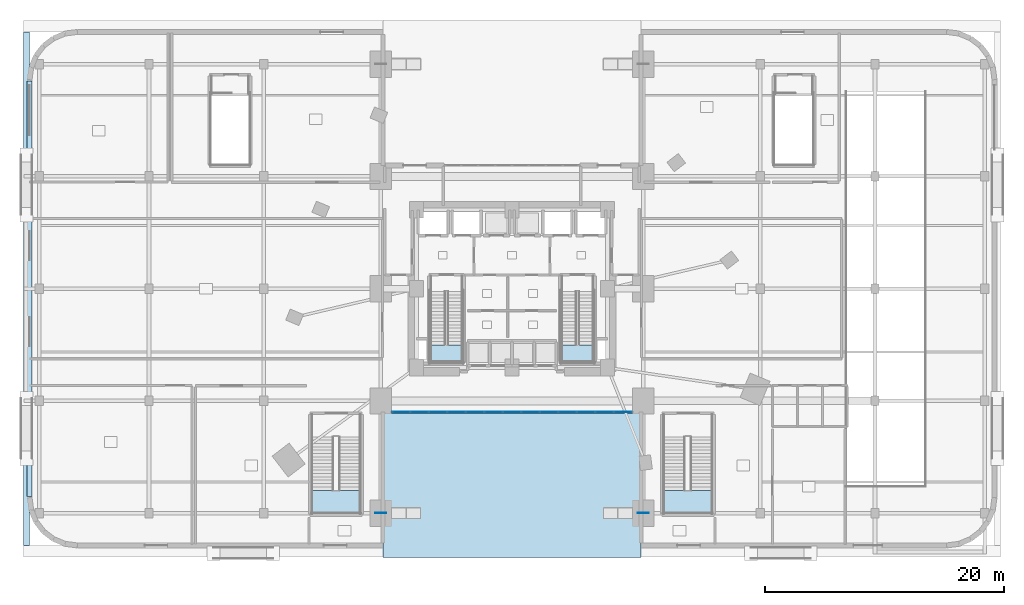
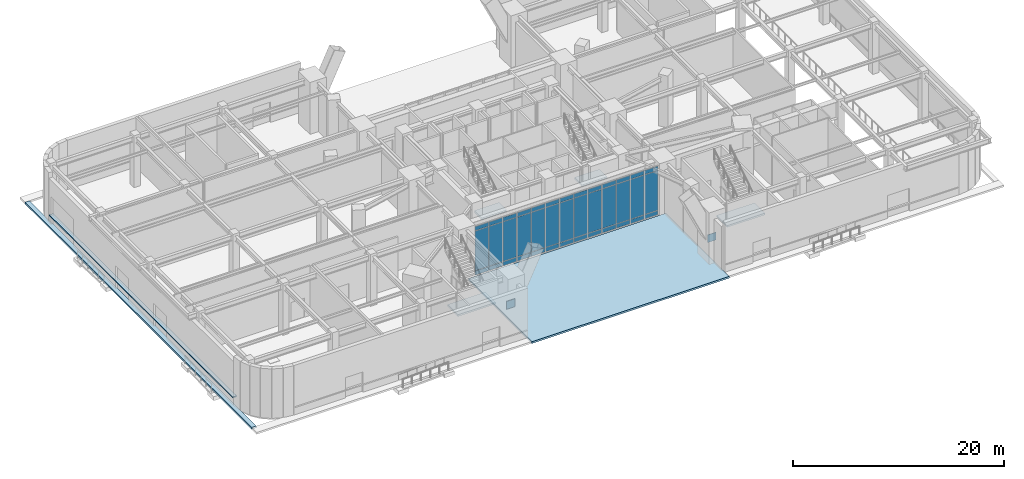
# One storey, part 14 of 27: 42 plates, 6 slabs, 5 elements without a shape of their own.
"""IFC4 building model written with IfcOpenShell, lengths in metres."""

from ifc_helpers import new_model, si_unit, direction, frame, origin, origin_2d, place, context, subcontext, project, spatial, polyline, rectangle, outline, extrude, material, layer, layer_set, type_object, element, aggregate, save


model = new_model("IFC4")

# Units and contexts
model_context = context("Model", 3, precision=1e-05, world=origin(), true_north=direction((0.0, 1.0)))
body_context = subcontext(model_context, "Body", "Model", "MODEL_VIEW")
ifc_project = project(units=[si_unit("LENGTHUNIT", "METRE"), si_unit("AREAUNIT", "SQUARE_METRE"), si_unit("VOLUMEUNIT", "CUBIC_METRE"), si_unit("PLANEANGLEUNIT", "RADIAN"), si_unit("MASSUNIT", "GRAM", prefix="KILO")], contexts=[model_context])

# Site, building, storey
site_placement = place(None, origin())
site = spatial("IfcSite", under=ifc_project, at=site_placement, CompositionType="ELEMENT")
building_placement = place(site_placement, origin())
building = spatial("IfcBuilding", under=site, at=building_placement, Name="Ndelora Gate Hotel", CompositionType="ELEMENT")
storey_placement = place(building_placement, origin())
storey = spatial("IfcBuildingStorey", under=building, at=storey_placement, Name="L00", CompositionType="ELEMENT", Elevation=0.0)

# Curtain wall, plates
ifc_material_1 = material(Name="Bronze Anodised Unitised Aluminium and Low-E Glass", Category="aluminium")
ifc_layer_1 = layer(ifc_material_1, 0.239990234375)
ifc_layer_set_1 = layer_set([ifc_layer_1], Name="Bronze Anodised Unitised Aluminium and Low-E Glass")
curtain_wall_type = type_object("IfcCurtainWallType", Name="CW-SYS-1", PredefinedType="NOTDEFINED", material=ifc_layer_set_1)
curtain_wall_placement = place(storey_placement, origin())
curtain_wall = element("IfcCurtainWall", 1, at=curtain_wall_placement, inside=storey, type_object=curtain_wall_type, Name="L00 South Portal Arch Concourse Curtain Wall CW1", PredefinedType="NOTDEFINED")
ifc_material_2 = material(Name="Solar-Control Low-E Insulated Glazing", Category="glass")
ifc_layer_2 = layer(ifc_material_2, 0.048095703125)
ifc_layer_set_2 = layer_set([ifc_layer_2], Name="Solar-Control Low-E Insulated Glazing")
plate_type_1 = type_object("IfcPlateType", Name="PL-CW-GLZ36", PredefinedType="CURTAIN_PANEL", material=ifc_layer_set_2)
plate_1_placement = place(storey_placement, frame((-9.287109375, -10.320068359375, 0.05908203125), z_axis=(0.0, 0.0, 1.0), x_axis=(1.0, 0.0, 0.0)))
plate_1 = element("IfcPlate", 2, at=plate_1_placement, type_object=plate_type_1, Name="CW1 panel 1.1", PredefinedType="CURTAIN_PANEL", context=body_context, shape_type="SweptSolid", body=[
    extrude(rectangle(XDim=1.457763671875, YDim=0.048095703125, at=origin_2d()), origin(), (0.0, 0.0, 1.0), 0.464599609375),
])
plate_2_placement = place(storey_placement, frame((-9.287109375, -10.320068359375, 0.57666015625), z_axis=(0.0, 0.0, 1.0), x_axis=(1.0, 0.0, 0.0)))
plate_2 = element("IfcPlate", 3, at=plate_2_placement, type_object=plate_type_1, Name="CW1 panel 1.2", PredefinedType="CURTAIN_PANEL", context=body_context, shape_type="SweptSolid", body=[
    extrude(rectangle(XDim=1.457763671875, YDim=0.048095703125, at=origin_2d()), origin(), (0.0, 0.0, 1.0), 4.56689453125),
])
plate_3_placement = place(storey_placement, frame((-9.287109375, -10.320068359375, 5.1962890625), z_axis=(0.0, 0.0, 1.0), x_axis=(1.0, 0.0, 0.0)))
plate_3 = element("IfcPlate", 4, at=plate_3_placement, type_object=plate_type_1, Name="CW1 panel 1.3", PredefinedType="CURTAIN_PANEL", context=body_context, shape_type="SweptSolid", body=[
    extrude(rectangle(XDim=1.457763671875, YDim=0.048095703125, at=origin_2d()), origin(), (0.0, 0.0, 1.0), 0.464599609375),
])
plate_4_placement = place(storey_placement, frame((-7.75390625, -10.320068359375, 0.05908203125), z_axis=(0.0, 0.0, 1.0), x_axis=(1.0, 0.0, 0.0)))
plate_4 = element("IfcPlate", 5, at=plate_4_placement, type_object=plate_type_1, Name="CW1 panel 2.1", PredefinedType="CURTAIN_PANEL", context=body_context, shape_type="SweptSolid", body=[
    extrude(rectangle(XDim=1.49267578125, YDim=0.048095703125, at=origin_2d()), origin(), (0.0, 0.0, 1.0), 0.464599609375),
])
plate_5_placement = place(storey_placement, frame((-7.75390625, -10.320068359375, 0.57666015625), z_axis=(0.0, 0.0, 1.0), x_axis=(1.0, 0.0, 0.0)))
plate_5 = element("IfcPlate", 6, at=plate_5_placement, type_object=plate_type_1, Name="CW1 panel 2.2", PredefinedType="CURTAIN_PANEL", context=body_context, shape_type="SweptSolid", body=[
    extrude(rectangle(XDim=1.49267578125, YDim=0.048095703125, at=origin_2d()), origin(), (0.0, 0.0, 1.0), 4.56689453125),
])
plate_6_placement = place(storey_placement, frame((-7.75390625, -10.320068359375, 5.1962890625), z_axis=(0.0, 0.0, 1.0), x_axis=(1.0, 0.0, 0.0)))
plate_6 = element("IfcPlate", 7, at=plate_6_placement, type_object=plate_type_1, Name="CW1 panel 2.3", PredefinedType="CURTAIN_PANEL", context=body_context, shape_type="SweptSolid", body=[
    extrude(rectangle(XDim=1.49267578125, YDim=0.048095703125, at=origin_2d()), origin(), (0.0, 0.0, 1.0), 0.464599609375),
])
plate_7_placement = place(storey_placement, frame((-6.203125, -10.320068359375, 0.05908203125), z_axis=(0.0, 0.0, 1.0), x_axis=(1.0, 0.0, 0.0)))
plate_7 = element("IfcPlate", 8, at=plate_7_placement, type_object=plate_type_1, Name="CW1 panel 3.1", PredefinedType="CURTAIN_PANEL", context=body_context, shape_type="SweptSolid", body=[
    extrude(rectangle(XDim=1.49267578125, YDim=0.048095703125, at=origin_2d()), origin(), (0.0, 0.0, 1.0), 0.464599609375),
])
plate_8_placement = place(storey_placement, frame((-6.203125, -10.320068359375, 0.57666015625), z_axis=(0.0, 0.0, 1.0), x_axis=(1.0, 0.0, 0.0)))
plate_8 = element("IfcPlate", 9, at=plate_8_placement, type_object=plate_type_1, Name="CW1 panel 3.2", PredefinedType="CURTAIN_PANEL", context=body_context, shape_type="SweptSolid", body=[
    extrude(rectangle(XDim=1.49267578125, YDim=0.048095703125, at=origin_2d()), origin(), (0.0, 0.0, 1.0), 4.56689453125),
])
plate_9_placement = place(storey_placement, frame((-6.203125, -10.320068359375, 5.1962890625), z_axis=(0.0, 0.0, 1.0), x_axis=(1.0, 0.0, 0.0)))
plate_9 = element("IfcPlate", 10, at=plate_9_placement, type_object=plate_type_1, Name="CW1 panel 3.3", PredefinedType="CURTAIN_PANEL", context=body_context, shape_type="SweptSolid", body=[
    extrude(rectangle(XDim=1.49267578125, YDim=0.048095703125, at=origin_2d()), origin(), (0.0, 0.0, 1.0), 0.464599609375),
])
plate_10_placement = place(storey_placement, frame((-4.65234375, -10.320068359375, 0.05908203125), z_axis=(0.0, 0.0, 1.0), x_axis=(1.0, 0.0, 0.0)))
plate_10 = element("IfcPlate", 11, at=plate_10_placement, type_object=plate_type_1, Name="CW1 panel 4.1", PredefinedType="CURTAIN_PANEL", context=body_context, shape_type="SweptSolid", body=[
    extrude(rectangle(XDim=1.49267578125, YDim=0.048095703125, at=origin_2d()), origin(), (0.0, 0.0, 1.0), 0.464599609375),
])
plate_11_placement = place(storey_placement, frame((-4.65234375, -10.320068359375, 0.57666015625), z_axis=(0.0, 0.0, 1.0), x_axis=(1.0, 0.0, 0.0)))
plate_11 = element("IfcPlate", 12, at=plate_11_placement, type_object=plate_type_1, Name="CW1 panel 4.2", PredefinedType="CURTAIN_PANEL", context=body_context, shape_type="SweptSolid", body=[
    extrude(rectangle(XDim=1.49267578125, YDim=0.048095703125, at=origin_2d()), origin(), (0.0, 0.0, 1.0), 4.56689453125),
])
plate_12_placement = place(storey_placement, frame((-4.65234375, -10.320068359375, 5.1962890625), z_axis=(0.0, 0.0, 1.0), x_axis=(1.0, 0.0, 0.0)))
plate_12 = element("IfcPlate", 13, at=plate_12_placement, type_object=plate_type_1, Name="CW1 panel 4.3", PredefinedType="CURTAIN_PANEL", context=body_context, shape_type="SweptSolid", body=[
    extrude(rectangle(XDim=1.49267578125, YDim=0.048095703125, at=origin_2d()), origin(), (0.0, 0.0, 1.0), 0.464599609375),
])
plate_13_placement = place(storey_placement, frame((-3.1015625, -10.320068359375, 0.05908203125), z_axis=(0.0, 0.0, 1.0), x_axis=(1.0, 0.0, 0.0)))
plate_13 = element("IfcPlate", 14, at=plate_13_placement, type_object=plate_type_1, Name="CW1 panel 5.1", PredefinedType="CURTAIN_PANEL", context=body_context, shape_type="SweptSolid", body=[
    extrude(rectangle(XDim=1.49267578125, YDim=0.048095703125, at=origin_2d()), origin(), (0.0, 0.0, 1.0), 0.464599609375),
])
plate_14_placement = place(storey_placement, frame((-3.1015625, -10.320068359375, 0.57666015625), z_axis=(0.0, 0.0, 1.0), x_axis=(1.0, 0.0, 0.0)))
plate_14 = element("IfcPlate", 15, at=plate_14_placement, type_object=plate_type_1, Name="CW1 panel 5.2", PredefinedType="CURTAIN_PANEL", context=body_context, shape_type="SweptSolid", body=[
    extrude(rectangle(XDim=1.49267578125, YDim=0.048095703125, at=origin_2d()), origin(), (0.0, 0.0, 1.0), 4.56689453125),
])
plate_15_placement = place(storey_placement, frame((-3.1015625, -10.320068359375, 5.1962890625), z_axis=(0.0, 0.0, 1.0), x_axis=(1.0, 0.0, 0.0)))
plate_15 = element("IfcPlate", 16, at=plate_15_placement, type_object=plate_type_1, Name="CW1 panel 5.3", PredefinedType="CURTAIN_PANEL", context=body_context, shape_type="SweptSolid", body=[
    extrude(rectangle(XDim=1.49267578125, YDim=0.048095703125, at=origin_2d()), origin(), (0.0, 0.0, 1.0), 0.464599609375),
])
plate_16_placement = place(storey_placement, frame((-1.55078125, -10.320068359375, 0.05908203125), z_axis=(0.0, 0.0, 1.0), x_axis=(1.0, 0.0, 0.0)))
plate_16 = element("IfcPlate", 17, at=plate_16_placement, type_object=plate_type_1, Name="CW1 panel 6.1", PredefinedType="CURTAIN_PANEL", context=body_context, shape_type="SweptSolid", body=[
    extrude(rectangle(XDim=1.49267578125, YDim=0.048095703125, at=origin_2d()), origin(), (0.0, 0.0, 1.0), 0.464599609375),
])
plate_17_placement = place(storey_placement, frame((-1.55078125, -10.320068359375, 0.57666015625), z_axis=(0.0, 0.0, 1.0), x_axis=(1.0, 0.0, 0.0)))
plate_17 = element("IfcPlate", 18, at=plate_17_placement, type_object=plate_type_1, Name="CW1 panel 6.2", PredefinedType="CURTAIN_PANEL", context=body_context, shape_type="SweptSolid", body=[
    extrude(rectangle(XDim=1.49267578125, YDim=0.048095703125, at=origin_2d()), origin(), (0.0, 0.0, 1.0), 4.56689453125),
])
plate_18_placement = place(storey_placement, frame((-1.55078125, -10.320068359375, 5.1962890625), z_axis=(0.0, 0.0, 1.0), x_axis=(1.0, 0.0, 0.0)))
plate_18 = element("IfcPlate", 19, at=plate_18_placement, type_object=plate_type_1, Name="CW1 panel 6.3", PredefinedType="CURTAIN_PANEL", context=body_context, shape_type="SweptSolid", body=[
    extrude(rectangle(XDim=1.49267578125, YDim=0.048095703125, at=origin_2d()), origin(), (0.0, 0.0, 1.0), 0.464599609375),
])
plate_19_placement = place(storey_placement, frame((0.0, -10.320068359375, 0.05908203125), z_axis=(0.0, 0.0, 1.0), x_axis=(1.0, 0.0, 0.0)))
plate_19 = element("IfcPlate", 20, at=plate_19_placement, type_object=plate_type_1, Name="CW1 panel 7.1", PredefinedType="CURTAIN_PANEL", context=body_context, shape_type="SweptSolid", body=[
    extrude(rectangle(XDim=1.49267578125, YDim=0.048095703125, at=origin_2d()), origin(), (0.0, 0.0, 1.0), 0.464599609375),
])
plate_20_placement = place(storey_placement, frame((0.0, -10.320068359375, 0.57666015625), z_axis=(0.0, 0.0, 1.0), x_axis=(1.0, 0.0, 0.0)))
plate_20 = element("IfcPlate", 21, at=plate_20_placement, type_object=plate_type_1, Name="CW1 panel 7.2", PredefinedType="CURTAIN_PANEL", context=body_context, shape_type="SweptSolid", body=[
    extrude(rectangle(XDim=1.49267578125, YDim=0.048095703125, at=origin_2d()), origin(), (0.0, 0.0, 1.0), 4.56689453125),
])
plate_21_placement = place(storey_placement, frame((0.0, -10.320068359375, 5.1962890625), z_axis=(0.0, 0.0, 1.0), x_axis=(1.0, 0.0, 0.0)))
plate_21 = element("IfcPlate", 22, at=plate_21_placement, type_object=plate_type_1, Name="CW1 panel 7.3", PredefinedType="CURTAIN_PANEL", context=body_context, shape_type="SweptSolid", body=[
    extrude(rectangle(XDim=1.49267578125, YDim=0.048095703125, at=origin_2d()), origin(), (0.0, 0.0, 1.0), 0.464599609375),
])
plate_22_placement = place(storey_placement, frame((1.55078125, -10.320068359375, 0.05908203125), z_axis=(0.0, 0.0, 1.0), x_axis=(1.0, 0.0, 0.0)))
plate_22 = element("IfcPlate", 23, at=plate_22_placement, type_object=plate_type_1, Name="CW1 panel 8.1", PredefinedType="CURTAIN_PANEL", context=body_context, shape_type="SweptSolid", body=[
    extrude(rectangle(XDim=1.49267578125, YDim=0.048095703125, at=origin_2d()), origin(), (0.0, 0.0, 1.0), 0.464599609375),
])
plate_23_placement = place(storey_placement, frame((1.55078125, -10.320068359375, 0.57666015625), z_axis=(0.0, 0.0, 1.0), x_axis=(1.0, 0.0, 0.0)))
plate_23 = element("IfcPlate", 24, at=plate_23_placement, type_object=plate_type_1, Name="CW1 panel 8.2", PredefinedType="CURTAIN_PANEL", context=body_context, shape_type="SweptSolid", body=[
    extrude(rectangle(XDim=1.49267578125, YDim=0.048095703125, at=origin_2d()), origin(), (0.0, 0.0, 1.0), 4.56689453125),
])
plate_24_placement = place(storey_placement, frame((1.55078125, -10.320068359375, 5.1962890625), z_axis=(0.0, 0.0, 1.0), x_axis=(1.0, 0.0, 0.0)))
plate_24 = element("IfcPlate", 25, at=plate_24_placement, type_object=plate_type_1, Name="CW1 panel 8.3", PredefinedType="CURTAIN_PANEL", context=body_context, shape_type="SweptSolid", body=[
    extrude(rectangle(XDim=1.49267578125, YDim=0.048095703125, at=origin_2d()), origin(), (0.0, 0.0, 1.0), 0.464599609375),
])
plate_25_placement = place(storey_placement, frame((3.1015625, -10.320068359375, 0.05908203125), z_axis=(0.0, 0.0, 1.0), x_axis=(1.0, 0.0, 0.0)))
plate_25 = element("IfcPlate", 26, at=plate_25_placement, type_object=plate_type_1, Name="CW1 panel 9.1", PredefinedType="CURTAIN_PANEL", context=body_context, shape_type="SweptSolid", body=[
    extrude(rectangle(XDim=1.49267578125, YDim=0.048095703125, at=origin_2d()), origin(), (0.0, 0.0, 1.0), 0.464599609375),
])
plate_26_placement = place(storey_placement, frame((3.1015625, -10.320068359375, 0.57666015625), z_axis=(0.0, 0.0, 1.0), x_axis=(1.0, 0.0, 0.0)))
plate_26 = element("IfcPlate", 27, at=plate_26_placement, type_object=plate_type_1, Name="CW1 panel 9.2", PredefinedType="CURTAIN_PANEL", context=body_context, shape_type="SweptSolid", body=[
    extrude(rectangle(XDim=1.49267578125, YDim=0.048095703125, at=origin_2d()), origin(), (0.0, 0.0, 1.0), 4.56689453125),
])
plate_27_placement = place(storey_placement, frame((3.1015625, -10.320068359375, 5.1962890625), z_axis=(0.0, 0.0, 1.0), x_axis=(1.0, 0.0, 0.0)))
plate_27 = element("IfcPlate", 28, at=plate_27_placement, type_object=plate_type_1, Name="CW1 panel 9.3", PredefinedType="CURTAIN_PANEL", context=body_context, shape_type="SweptSolid", body=[
    extrude(rectangle(XDim=1.49267578125, YDim=0.048095703125, at=origin_2d()), origin(), (0.0, 0.0, 1.0), 0.464599609375),
])
plate_28_placement = place(storey_placement, frame((4.65234375, -10.320068359375, 0.05908203125), z_axis=(0.0, 0.0, 1.0), x_axis=(1.0, 0.0, 0.0)))
plate_28 = element("IfcPlate", 29, at=plate_28_placement, type_object=plate_type_1, Name="CW1 panel 10.1", PredefinedType="CURTAIN_PANEL", context=body_context, shape_type="SweptSolid", body=[
    extrude(rectangle(XDim=1.49267578125, YDim=0.048095703125, at=origin_2d()), origin(), (0.0, 0.0, 1.0), 0.464599609375),
])
plate_29_placement = place(storey_placement, frame((4.65234375, -10.320068359375, 0.57666015625), z_axis=(0.0, 0.0, 1.0), x_axis=(1.0, 0.0, 0.0)))
plate_29 = element("IfcPlate", 30, at=plate_29_placement, type_object=plate_type_1, Name="CW1 panel 10.2", PredefinedType="CURTAIN_PANEL", context=body_context, shape_type="SweptSolid", body=[
    extrude(rectangle(XDim=1.49267578125, YDim=0.048095703125, at=origin_2d()), origin(), (0.0, 0.0, 1.0), 4.56689453125),
])
plate_30_placement = place(storey_placement, frame((4.65234375, -10.320068359375, 5.1962890625), z_axis=(0.0, 0.0, 1.0), x_axis=(1.0, 0.0, 0.0)))
plate_30 = element("IfcPlate", 31, at=plate_30_placement, type_object=plate_type_1, Name="CW1 panel 10.3", PredefinedType="CURTAIN_PANEL", context=body_context, shape_type="SweptSolid", body=[
    extrude(rectangle(XDim=1.49267578125, YDim=0.048095703125, at=origin_2d()), origin(), (0.0, 0.0, 1.0), 0.464599609375),
])
plate_31_placement = place(storey_placement, frame((6.203125, -10.320068359375, 0.05908203125), z_axis=(0.0, 0.0, 1.0), x_axis=(1.0, 0.0, 0.0)))
plate_31 = element("IfcPlate", 32, at=plate_31_placement, type_object=plate_type_1, Name="CW1 panel 11.1", PredefinedType="CURTAIN_PANEL", context=body_context, shape_type="SweptSolid", body=[
    extrude(rectangle(XDim=1.49267578125, YDim=0.048095703125, at=origin_2d()), origin(), (0.0, 0.0, 1.0), 0.464599609375),
])
plate_32_placement = place(storey_placement, frame((6.203125, -10.320068359375, 0.57666015625), z_axis=(0.0, 0.0, 1.0), x_axis=(1.0, 0.0, 0.0)))
plate_32 = element("IfcPlate", 33, at=plate_32_placement, type_object=plate_type_1, Name="CW1 panel 11.2", PredefinedType="CURTAIN_PANEL", context=body_context, shape_type="SweptSolid", body=[
    extrude(rectangle(XDim=1.49267578125, YDim=0.048095703125, at=origin_2d()), origin(), (0.0, 0.0, 1.0), 4.56689453125),
])
plate_33_placement = place(storey_placement, frame((6.203125, -10.320068359375, 5.1962890625), z_axis=(0.0, 0.0, 1.0), x_axis=(1.0, 0.0, 0.0)))
plate_33 = element("IfcPlate", 34, at=plate_33_placement, type_object=plate_type_1, Name="CW1 panel 11.3", PredefinedType="CURTAIN_PANEL", context=body_context, shape_type="SweptSolid", body=[
    extrude(rectangle(XDim=1.49267578125, YDim=0.048095703125, at=origin_2d()), origin(), (0.0, 0.0, 1.0), 0.464599609375),
])
plate_34_placement = place(storey_placement, frame((7.75390625, -10.320068359375, 0.05908203125), z_axis=(0.0, 0.0, 1.0), x_axis=(1.0, 0.0, 0.0)))
plate_34 = element("IfcPlate", 35, at=plate_34_placement, type_object=plate_type_1, Name="CW1 panel 12.1", PredefinedType="CURTAIN_PANEL", context=body_context, shape_type="SweptSolid", body=[
    extrude(rectangle(XDim=1.49267578125, YDim=0.048095703125, at=origin_2d()), origin(), (0.0, 0.0, 1.0), 0.464599609375),
])
plate_35_placement = place(storey_placement, frame((7.75390625, -10.320068359375, 0.57666015625), z_axis=(0.0, 0.0, 1.0), x_axis=(1.0, 0.0, 0.0)))
plate_35 = element("IfcPlate", 36, at=plate_35_placement, type_object=plate_type_1, Name="CW1 panel 12.2", PredefinedType="CURTAIN_PANEL", context=body_context, shape_type="SweptSolid", body=[
    extrude(rectangle(XDim=1.49267578125, YDim=0.048095703125, at=origin_2d()), origin(), (0.0, 0.0, 1.0), 4.56689453125),
])
plate_36_placement = place(storey_placement, frame((7.75390625, -10.320068359375, 5.1962890625), z_axis=(0.0, 0.0, 1.0), x_axis=(1.0, 0.0, 0.0)))
plate_36 = element("IfcPlate", 37, at=plate_36_placement, type_object=plate_type_1, Name="CW1 panel 12.3", PredefinedType="CURTAIN_PANEL", context=body_context, shape_type="SweptSolid", body=[
    extrude(rectangle(XDim=1.49267578125, YDim=0.048095703125, at=origin_2d()), origin(), (0.0, 0.0, 1.0), 0.464599609375),
])
plate_37_placement = place(storey_placement, frame((9.287109375, -10.320068359375, 0.05908203125), z_axis=(0.0, 0.0, 1.0), x_axis=(1.0, 0.0, 0.0)))
plate_37 = element("IfcPlate", 38, at=plate_37_placement, type_object=plate_type_1, Name="CW1 panel 13.1", PredefinedType="CURTAIN_PANEL", context=body_context, shape_type="SweptSolid", body=[
    extrude(rectangle(XDim=1.457763671875, YDim=0.048095703125, at=origin_2d()), origin(), (0.0, 0.0, 1.0), 0.464599609375),
])
plate_38_placement = place(storey_placement, frame((9.287109375, -10.320068359375, 0.57666015625), z_axis=(0.0, 0.0, 1.0), x_axis=(1.0, 0.0, 0.0)))
plate_38 = element("IfcPlate", 39, at=plate_38_placement, type_object=plate_type_1, Name="CW1 panel 13.2", PredefinedType="CURTAIN_PANEL", context=body_context, shape_type="SweptSolid", body=[
    extrude(rectangle(XDim=1.457763671875, YDim=0.048095703125, at=origin_2d()), origin(), (0.0, 0.0, 1.0), 4.56689453125),
])
plate_39_placement = place(storey_placement, frame((9.287109375, -10.320068359375, 5.1962890625), z_axis=(0.0, 0.0, 1.0), x_axis=(1.0, 0.0, 0.0)))
plate_39 = element("IfcPlate", 40, at=plate_39_placement, type_object=plate_type_1, Name="CW1 panel 13.3", PredefinedType="CURTAIN_PANEL", context=body_context, shape_type="SweptSolid", body=[
    extrude(rectangle(XDim=1.457763671875, YDim=0.048095703125, at=origin_2d()), origin(), (0.0, 0.0, 1.0), 0.464599609375),
])
aggregate(curtain_wall, [plate_1, plate_2, plate_3, plate_4, plate_5, plate_6, plate_7, plate_8, plate_9, plate_10, plate_11, plate_12, plate_13, plate_14, plate_15, plate_16, plate_17, plate_18, plate_19, plate_20, plate_21, plate_22, plate_23, plate_24, plate_25, plate_26, plate_27, plate_28, plate_29, plate_30, plate_31, plate_32, plate_33, plate_34, plate_35, plate_36, plate_37, plate_38, plate_39])

# Plates
ifc_material_3 = material(Name="Steel S460", Category="steel")
ifc_layer_3 = layer(ifc_material_3, 0.0400390625)
ifc_layer_set_3 = layer_set([ifc_layer_3], Name="Steel S460")
plate_type_2 = type_object("IfcPlateType", Name="PL-NODE-AN1", PredefinedType="USERDEFINED", material=ifc_layer_set_3)
for number, where, z_axis, x_axis, name in (
    (41, (-11.0, -18.800048828125, 1.75), (0.0, 0.0, 1.0), (1.0, 0.0, 0.0), "Node gusset cap plate AN1"),
    (42, (11.0, -18.800048828125, 1.75), (0.0, 0.0, 1.0), (1.0, 0.0, 0.0), "Node gusset cap plate AN1"),
):
    element("IfcPlate", number, at=place(storey_placement, frame(where, z_axis=z_axis, x_axis=x_axis)), inside=storey, type_object=plate_type_2, Name=name, ObjectType="GUSSET_PLATE", PredefinedType="USERDEFINED", context=body_context, shape_type="SweptSolid", body=[
        extrude(rectangle(XDim=0.89990234375, YDim=0.0400390625, at=origin_2d()), origin(), (0.0, 0.0, 1.0), 0.89990234375),
    ])
ifc_material_4 = material(Name="Precast concrete C40/50", Category="concrete")
ifc_layer_4 = layer(ifc_material_4, 0.125)
ifc_layer_set_4 = layer_set([ifc_layer_4], Name="Precast concrete C40/50")
plate_type_3 = type_object("IfcPlateType", Name="PL-SILL-120", PredefinedType="USERDEFINED", material=ifc_layer_set_4)
plate_40_placement = place(storey_placement, frame((-40.39990234375, 0.0, 0.8173828125), z_axis=(0.0, 0.0, 1.0), x_axis=(0.0, 1.0, 0.0)))
element("IfcPlate", 43, at=plate_40_placement, inside=storey, type_object=plate_type_3, Name="L00 Precast Concrete Ribbon Sill Band 22", ObjectType="RIBBON_SILL", PredefinedType="USERDEFINED", context=body_context, shape_type="SweptSolid", body=[
    extrude(rectangle(XDim=34.800048828125, YDim=0.43994140625, at=origin_2d()), origin(), (0.0, 0.0, 1.0), 0.125),
])

# Stair, slab
stair_type_1 = type_object("IfcStairType", Name="STR-DOG-CORE", PredefinedType="HALF_TURN_STAIR", material=ifc_material_4)
stair_1_placement = place(storey_placement, origin())
stair_1 = element("IfcStair", 44, at=stair_1_placement, inside=storey, type_object=stair_type_1, Name="L00 Protected Core Exit Stair ST4", PredefinedType="HALF_TURN_STAIR")
ifc_layer_5 = layer(ifc_material_4, 0.219970703125)
ifc_layer_set_5 = layer_set([ifc_layer_5], Name="Precast concrete C40/50")
slab_type_1 = type_object("IfcSlabType", Name="SL-LAND-220", PredefinedType="LANDING", material=ifc_layer_set_5)
slab_1_placement = place(storey_placement, frame((0.0, 0.0, 2.800048828125)))
slab_1 = element("IfcSlab", 45, at=slab_1_placement, type_object=slab_type_1, Name="ST4 landing 1", PredefinedType="LANDING", context=body_context, shape_type="SweptSolid", body=[
    extrude(outline(polyline([(-6.85009765625, -4.7099609375), (-6.85009765625, -6.14990234375), (-4.1298828125, -6.14990234375), (-4.1298828125, -4.7099609375), (-6.85009765625, -4.7099609375)])), origin(), (0.0, 0.0, 1.0), 0.199951171875),
])
aggregate(stair_1, [slab_1])

stair_2_placement = place(storey_placement, origin())
stair_2 = element("IfcStair", 46, at=stair_2_placement, inside=storey, type_object=stair_type_1, Name="L00 Protected Core Exit Stair ST5", PredefinedType="HALF_TURN_STAIR")
slab_2_placement = place(storey_placement, frame((0.0, 0.0, 2.800048828125)))
slab_2 = element("IfcSlab", 47, at=slab_2_placement, type_object=slab_type_1, Name="ST5 landing 1", PredefinedType="LANDING", context=body_context, shape_type="SweptSolid", body=[
    extrude(outline(polyline([(4.1298828125, -4.7099609375), (4.1298828125, -6.14990234375), (6.85009765625, -6.14990234375), (6.85009765625, -4.7099609375), (4.1298828125, -4.7099609375)])), origin(), (0.0, 0.0, 1.0), 0.199951171875),
])
aggregate(stair_2, [slab_2])

stair_type_2 = type_object("IfcStairType", Name="STR-DOG-POD", PredefinedType="HALF_TURN_STAIR", material=ifc_material_4)
stair_3_placement = place(storey_placement, origin())
stair_3 = element("IfcStair", 48, at=stair_3_placement, inside=storey, type_object=stair_type_2, Name="L00 Podium Ballroom Exit Stair ST3A", PredefinedType="HALF_TURN_STAIR")
slab_3_placement = place(storey_placement, frame((0.0, 0.0, 2.800048828125)))
slab_3 = element("IfcSlab", 49, at=slab_3_placement, type_object=slab_type_1, Name="ST3A landing 1", PredefinedType="LANDING", context=body_context, shape_type="SweptSolid", body=[
    extrude(outline(polyline([(-16.800048828125, -16.8798828125), (-16.800048828125, -18.85009765625), (-12.659912109375, -18.85009765625), (-12.659912109375, -16.8798828125), (-16.800048828125, -16.8798828125)])), origin(), (0.0, 0.0, 1.0), 0.199951171875),
])
aggregate(stair_3, [slab_3])

stair_4_placement = place(storey_placement, origin())
stair_4 = element("IfcStair", 50, at=stair_4_placement, inside=storey, type_object=stair_type_2, Name="L00 Podium Conference Exit Stair ST3B", PredefinedType="HALF_TURN_STAIR")
slab_4_placement = place(storey_placement, frame((0.0, 0.0, 2.800048828125)))
slab_4 = element("IfcSlab", 51, at=slab_4_placement, type_object=slab_type_1, Name="ST3B landing 1", PredefinedType="LANDING", context=body_context, shape_type="SweptSolid", body=[
    extrude(outline(polyline([(12.659912109375, -16.8798828125), (12.659912109375, -18.85009765625), (16.800048828125, -18.85009765625), (16.800048828125, -16.8798828125), (12.659912109375, -16.8798828125)])), origin(), (0.0, 0.0, 1.0), 0.199951171875),
])
aggregate(stair_4, [slab_4])

# Slabs
ifc_layer_6 = layer(ifc_material_4, 0.2099609375)
ifc_layer_set_6 = layer_set([ifc_layer_6], Name="Precast concrete C40/50")
slab_type_2 = type_object("IfcSlabType", Name="SL-PAV-210", PredefinedType="USERDEFINED", material=ifc_layer_set_6)
slab_5_placement = place(storey_placement, frame((0.0, 0.0, -0.2099609375)))
element("IfcSlab", 52, at=slab_5_placement, inside=storey, type_object=slab_type_2, Name="L00 South Portal Arch Public Concourse Paving", ObjectType="PAVING", PredefinedType="USERDEFINED", context=body_context, shape_type="SweptSolid", body=[
    extrude(outline(polyline([(-10.800048828125, -22.5), (10.800048828125, -22.5), (10.800048828125, -10.449951171875), (-10.800048828125, -10.449951171875), (-10.800048828125, -22.5)])), origin(), (0.0, 0.0, 1.0), 0.2099609375),
])
slab_6_placement = place(storey_placement, frame((0.0, 0.0, -0.2099609375)))
element("IfcSlab", 53, at=slab_6_placement, inside=storey, type_object=slab_type_2, Name="L00 Exterior Street Apron Paving W", ObjectType="PAVING", PredefinedType="USERDEFINED", context=body_context, shape_type="SweptSolid", body=[
    extrude(outline(polyline([(-40.89990234375, -21.5), (-40.39990234375, -21.5), (-40.39990234375, 21.5), (-40.89990234375, 21.5), (-40.89990234375, -21.5)])), origin(), (0.0, 0.0, 1.0), 0.2099609375),
])

save(model, "model.ifc")
